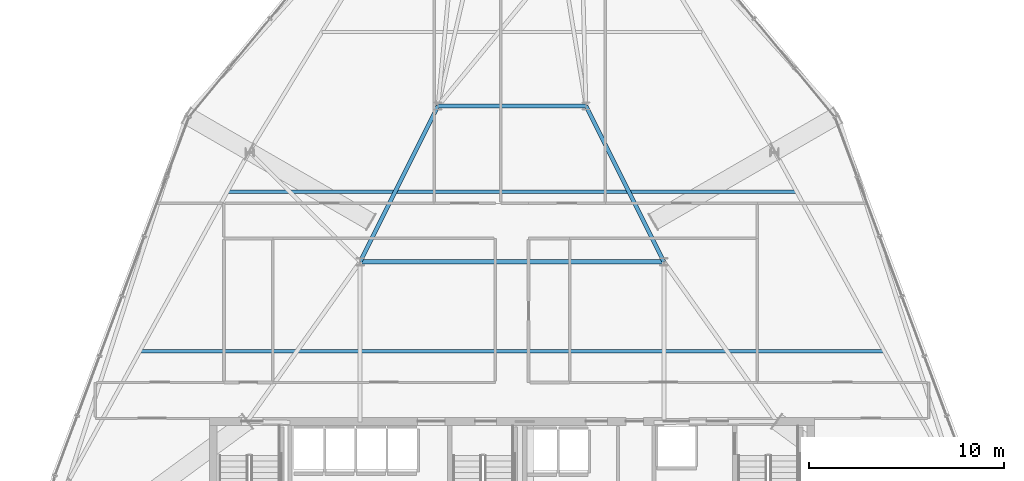
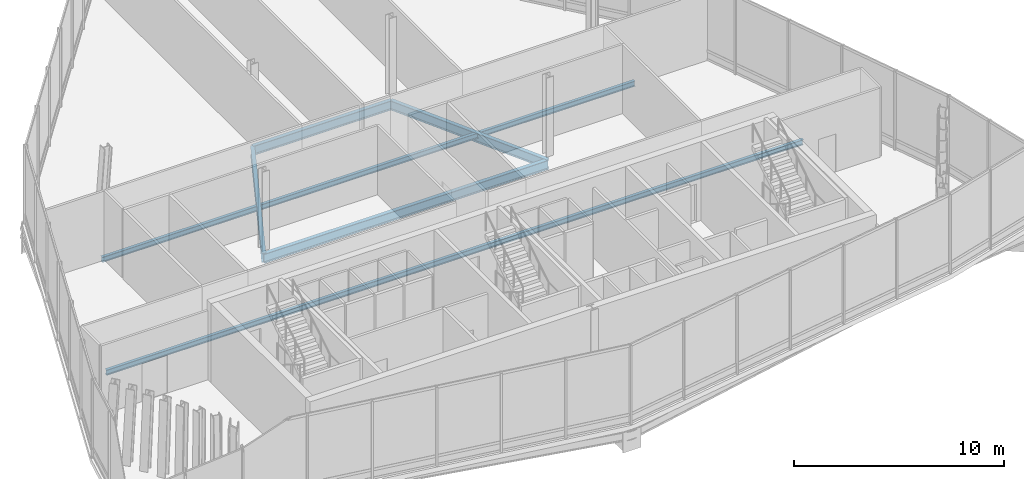
# One storey, part 8 of 28: 6 beams.
"""IFC4 building model written with IfcOpenShell, lengths in metres."""

from ifc_helpers import new_model, si_unit, direction, frame, origin, origin_2d, place, context, subcontext, project, spatial, i_section, extrude, material, material_profile, profile_set, type_object, element, save


model = new_model("IFC4")

# Units and contexts
model_context = context("Model", 3, precision=1e-05, world=origin(), true_north=direction((0.0, 1.0)))
body_context = subcontext(model_context, "Body", "Model", "MODEL_VIEW")
ifc_project = project(units=[si_unit("LENGTHUNIT", "METRE"), si_unit("AREAUNIT", "SQUARE_METRE"), si_unit("VOLUMEUNIT", "CUBIC_METRE"), si_unit("PLANEANGLEUNIT", "RADIAN"), si_unit("MASSUNIT", "GRAM", prefix="KILO")], contexts=[model_context])

# Site, building, storey
site_placement = place(None, origin())
site = spatial("IfcSite", under=ifc_project, at=site_placement, CompositionType="ELEMENT")
building_placement = place(site_placement, origin())
building = spatial("IfcBuilding", under=site, at=building_placement, Name="Ndaravel Arena Tower", CompositionType="ELEMENT")
storey_placement = place(building_placement, frame((0.0, 0.0, 213.199951171875)))
storey = spatial("IfcBuildingStorey", under=building, at=storey_placement, Name="L51", CompositionType="ELEMENT", Elevation=213.199951171875)

# Beams
ifc_material_1 = material(Name="Steel S355", Category="steel")
ifc_material_profile_1 = material_profile(ifc_material_1, i_section(OverallWidth=0.210693359375, OverallDepth=0.53955078125, WebThickness=0.01171875, FlangeThickness=0.018798828125, FilletRadius=0.0126953125, at=origin_2d()), Name="UB 533x210x109")
ifc_profile_set_1 = profile_set([ifc_material_profile_1], Name="Steel S355")
beam_type_1 = type_object("IfcBeamType", Name="BM-GIRD-UB533", PredefinedType="BEAM", material=ifc_profile_set_1)
beam_1_placement = place(storey_placement, frame((34.199951171875, 23.199951171875, -0.5498046875), z_axis=(1.0, 0.0, 0.0), x_axis=(0.0, 1.0, 0.0)))
element("IfcBeam", 1, at=beam_1_placement, inside=storey, type_object=beam_type_1, Name="L51 Spine Link Girder SLG-03", PredefinedType="BEAM", context=body_context, shape_type="SweptSolid", body=[
    extrude(i_section(OverallWidth=0.210693359375, OverallDepth=0.53955078125, WebThickness=0.01171875, FlangeThickness=0.018798828125, FilletRadius=0.0126953125, at=origin_2d()), origin(), (0.0, 0.0, 1.0), 15.60009765625),
])
for number, where, z_axis, x_axis, name in (
    (2, (34.199951171875, 23.199951171875, -0.5498046875), (0.4472135955, 0.894427191, 0.0), (-0.894427191, 0.4472135955, 0.0), "L51 Spine Link Girder SLG-04"),
    (3, (49.800048828125, 23.199951171875, -0.5498046875), (-0.4472135955, 0.894427191, 0.0), (-0.894427191, -0.4472135955, 0.0), "L51 Spine Link Girder SLG-05"),
):
    element("IfcBeam", number, at=place(storey_placement, frame(where, z_axis=z_axis, x_axis=x_axis)), inside=storey, type_object=beam_type_1, Name=name, PredefinedType="BEAM", context=body_context, shape_type="SweptSolid", body=[
        extrude(i_section(OverallWidth=0.210693359375, OverallDepth=0.53955078125, WebThickness=0.01171875, FlangeThickness=0.018798828125, FilletRadius=0.0126953125, at=origin_2d()), origin(), (0.0, 0.0, 1.0), 8.9443359375),
    ])
beam_2_placement = place(storey_placement, frame((38.199951171875, 31.199951171875, -0.5498046875), z_axis=(1.0, 0.0, 0.0), x_axis=(0.0, 1.0, 0.0)))
element("IfcBeam", 4, at=beam_2_placement, inside=storey, type_object=beam_type_1, Name="L51 Spine Link Girder SLG-06", PredefinedType="BEAM", context=body_context, shape_type="SweptSolid", body=[
    extrude(i_section(OverallWidth=0.210693359375, OverallDepth=0.53955078125, WebThickness=0.01171875, FlangeThickness=0.018798828125, FilletRadius=0.0126953125, at=origin_2d()), origin(), (0.0, 0.0, 1.0), 7.60009765625),
])
ifc_material_2 = material(Name="Steel S355", Category="steel")
ifc_material_profile_2 = material_profile(ifc_material_2, i_section(OverallWidth=0.165771484375, OverallDepth=0.306640625, WebThickness=0.006591796875, FlangeThickness=0.01171875, FilletRadius=0.0087890625, at=origin_2d()), Name="UB 305x165x46")
ifc_profile_set_2 = profile_set([ifc_material_profile_2], Name="Steel S355")
beam_type_2 = type_object("IfcBeamType", Name="BM-JOIST-UB305", PredefinedType="JOIST", material=ifc_profile_set_2)
beam_3_placement = place(storey_placement, frame((22.875, 18.60009765625, -0.433349609375), z_axis=(1.0, 0.0, 0.0), x_axis=(0.0, 1.0, 0.0)))
element("IfcBeam", 5, at=beam_3_placement, inside=storey, type_object=beam_type_2, Name="L51 Composite Floor Joist FJ-01", PredefinedType="JOIST", context=body_context, shape_type="SweptSolid", body=[
    extrude(i_section(OverallWidth=0.165771484375, OverallDepth=0.306640625, WebThickness=0.006591796875, FlangeThickness=0.01171875, FilletRadius=0.0087890625, at=origin_2d()), origin(), (0.0, 0.0, 1.0), 38.25),
])
beam_4_placement = place(storey_placement, frame((27.373046875, 26.800048828125, -0.433349609375), z_axis=(1.0, 0.0, 0.0), x_axis=(0.0, 1.0, 0.0)))
element("IfcBeam", 6, at=beam_4_placement, inside=storey, type_object=beam_type_2, Name="L51 Composite Floor Joist FJ-02", PredefinedType="JOIST", context=body_context, shape_type="SweptSolid", body=[
    extrude(i_section(OverallWidth=0.165771484375, OverallDepth=0.306640625, WebThickness=0.006591796875, FlangeThickness=0.01171875, FilletRadius=0.0087890625, at=origin_2d()), origin(), (0.0, 0.0, 1.0), 29.25390625),
])

save(model, "model.ifc")
